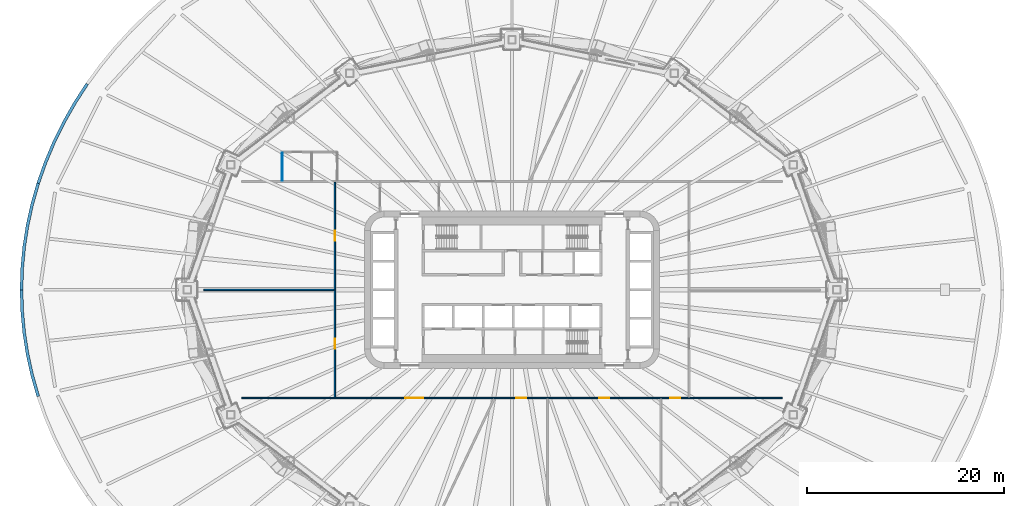
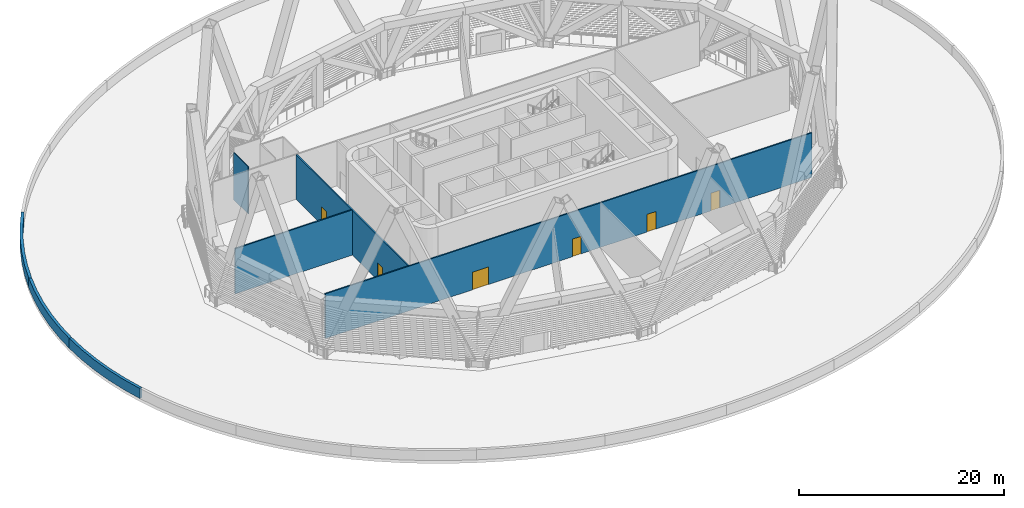
# One storey, part 8 of 27: 7 walls, 6 doors, 6 openings.
"""IFC4 building model written with IfcOpenShell, lengths in metres."""

from ifc_helpers import new_model, si_unit, direction, frame, frame_2d, origin, place, context, subcontext, project, spatial, polyline, rectangle, outline, extrude, material, layer, layer_set, type_object, element, fill, save


model = new_model("IFC4")

# Units and contexts
model_context = context("Model", 3, precision=1e-05, world=origin(), true_north=direction((0.0, 1.0)))
body_context = subcontext(model_context, "Body", "Model", "MODEL_VIEW")
ifc_project = project(units=[si_unit("LENGTHUNIT", "METRE"), si_unit("AREAUNIT", "SQUARE_METRE"), si_unit("VOLUMEUNIT", "CUBIC_METRE"), si_unit("PLANEANGLEUNIT", "RADIAN"), si_unit("MASSUNIT", "GRAM", prefix="KILO")], contexts=[model_context])

# Site, building, storey
site_placement = place(None, origin())
site = spatial("IfcSite", under=ifc_project, at=site_placement, CompositionType="ELEMENT")
building_placement = place(site_placement, origin())
building = spatial("IfcBuilding", under=site, at=building_placement, Name="Sahrelin Media Tower", CompositionType="ELEMENT")
storey_placement = place(building_placement, frame((0.0, 0.0, 44.0)))
storey = spatial("IfcBuildingStorey", under=building, at=storey_placement, Name="L06", CompositionType="ELEMENT", Elevation=44.0)

# Wall, openings, doors
ifc_material_1 = material(Name="Fire-rated gypsum board partition")
ifc_layer_1 = layer(ifc_material_1, 0.14990234375)
ifc_layer_set_1 = layer_set([ifc_layer_1], Name="Fire-rated partition 150")
wall_type_1 = type_object("IfcWallType", Name="Fire-rated partition 150", PredefinedType="PARTITIONING", material=ifc_layer_set_1)
wall_1_placement = place(storey_placement, frame((-27.476318359375, -11.0, 0.0), z_axis=(0.0, 0.0, 1.0), x_axis=(1.0, 0.0, 0.0)))
wall_1 = element("IfcWall", 1, at=wall_1_placement, inside=storey, type_object=wall_type_1, Name="Wall", PredefinedType="PARTITIONING", context=body_context, shape_type="SweptSolid", body=[
    extrude(rectangle(XDim=54.95263671875, YDim=0.14990234375, at=frame_2d((27.476318359375, 0.0))), origin(), (0.0, 0.0, 1.0), 5.326904296875),
])
opening_1_placement = place(wall_1_placement, frame((27.89990234375, 0.0, 0.0)))
opening_1 = element("IfcOpeningElement", 2, at=opening_1_placement, cuts=wall_1, Name="Opening L06-D19", PredefinedType="OPENING", context=body_context, shape_type="SweptSolid", body=[
    extrude(rectangle(XDim=1.0, YDim=2.10009765625, at=frame_2d((0.5, 1.050048828125))), frame((0.0, 0.074951171875, 0.0), z_axis=(0.0, -1.0, 0.0), x_axis=(1.0, 0.0, 0.0)), (0.0, 0.0, 1.0), 0.14990234375),
])
opening_2_placement = place(wall_1_placement, frame((36.35009765625, 0.0, 0.0)))
opening_2 = element("IfcOpeningElement", 3, at=opening_2_placement, cuts=wall_1, Name="Opening L06-D20", PredefinedType="OPENING", context=body_context, shape_type="SweptSolid", body=[
    extrude(rectangle(XDim=1.0, YDim=2.10009765625, at=frame_2d((0.5, 1.050048828125))), frame((0.0, 0.074951171875, 0.0), z_axis=(0.0, -1.0, 0.0), x_axis=(1.0, 0.0, 0.0)), (0.0, 0.0, 1.0), 0.14990234375),
])
opening_3_placement = place(wall_1_placement, frame((43.550048828125, 0.0, 0.0)))
opening_3 = element("IfcOpeningElement", 4, at=opening_3_placement, cuts=wall_1, Name="Opening L06-D21", PredefinedType="OPENING", context=body_context, shape_type="SweptSolid", body=[
    extrude(rectangle(XDim=1.0, YDim=2.10009765625, at=frame_2d((0.5, 1.050048828125))), frame((0.0, 0.074951171875, 0.0), z_axis=(0.0, -1.0, 0.0), x_axis=(1.0, 0.0, 0.0)), (0.0, 0.0, 1.0), 0.14990234375),
])
opening_4_placement = place(wall_1_placement, frame((16.64990234375, 0.0, 0.0)))
opening_4 = element("IfcOpeningElement", 5, at=opening_4_placement, cuts=wall_1, Name="Opening L06-D33", PredefinedType="OPENING", context=body_context, shape_type="SweptSolid", body=[
    extrude(rectangle(XDim=1.800048828125, YDim=2.10009765625, at=frame_2d((0.89990234375, 1.050048828125))), frame((0.0, 0.074951171875, 0.0), z_axis=(0.0, -1.0, 0.0), x_axis=(1.0, 0.0, 0.0)), (0.0, 0.0, 1.0), 0.14990234375),
])
ifc_material_2 = material(Name="Steel fire door leaf", Category="steel")
door_type_1 = type_object("IfcDoorType", Name="Fire door 1000 x 2100 EI 60", OperationType="NOTDEFINED", PredefinedType="DOOR", material=ifc_material_2)
door_1_placement = place(opening_1_placement, origin())
door_1 = element("IfcDoor", 6, at=door_1_placement, inside=storey, type_object=door_type_1, Name="Fire door", OperationType="SINGLE_SWING_RIGHT", OverallHeight=2.10009765625, OverallWidth=1.0, PredefinedType="DOOR", context=body_context, shape_type="SweptSolid", body=[
    extrude(rectangle(XDim=1.0, YDim=2.10009765625, at=frame_2d((0.5, 1.050048828125))), frame((0.0, 0.02490234375, 0.0), z_axis=(0.0, -1.0, 0.0), x_axis=(1.0, 0.0, 0.0)), (0.0, 0.0, 1.0), 0.050048828125),
])
fill(opening_1, door_1)
door_2_placement = place(opening_2_placement, origin())
door_2 = element("IfcDoor", 7, at=door_2_placement, inside=storey, type_object=door_type_1, Name="Fire door", OperationType="SINGLE_SWING_RIGHT", OverallHeight=2.10009765625, OverallWidth=1.0, PredefinedType="DOOR", context=body_context, shape_type="SweptSolid", body=[
    extrude(rectangle(XDim=1.0, YDim=2.10009765625, at=frame_2d((0.5, 1.050048828125))), frame((0.0, 0.02490234375, 0.0), z_axis=(0.0, -1.0, 0.0), x_axis=(1.0, 0.0, 0.0)), (0.0, 0.0, 1.0), 0.050048828125),
])
fill(opening_2, door_2)
door_3_placement = place(opening_3_placement, origin())
door_3 = element("IfcDoor", 8, at=door_3_placement, inside=storey, type_object=door_type_1, Name="Fire door", OperationType="SINGLE_SWING_RIGHT", OverallHeight=2.10009765625, OverallWidth=1.0, PredefinedType="DOOR", context=body_context, shape_type="SweptSolid", body=[
    extrude(rectangle(XDim=1.0, YDim=2.10009765625, at=frame_2d((0.5, 1.050048828125))), frame((0.0, 0.02490234375, 0.0), z_axis=(0.0, -1.0, 0.0), x_axis=(1.0, 0.0, 0.0)), (0.0, 0.0, 1.0), 0.050048828125),
])
fill(opening_3, door_3)
door_type_2 = type_object("IfcDoorType", Name="Service double door 1800 x 2100 EI 60", OperationType="DOUBLE_DOOR_SINGLE_SWING", PredefinedType="DOOR", material=ifc_material_2)
door_4_placement = place(opening_4_placement, origin())
door_4 = element("IfcDoor", 9, at=door_4_placement, inside=storey, type_object=door_type_2, Name="Service double door", OperationType="DOUBLE_DOOR_SINGLE_SWING", OverallHeight=2.10009765625, OverallWidth=1.800048828125, PredefinedType="DOOR", context=body_context, shape_type="SweptSolid", body=[
    extrude(rectangle(XDim=1.800048828125, YDim=2.10009765625, at=frame_2d((0.89990234375, 1.050048828125))), frame((0.0, 0.02490234375, 0.0), z_axis=(0.0, -1.0, 0.0), x_axis=(1.0, 0.0, 0.0)), (0.0, 0.0, 1.0), 0.050048828125),
])
fill(opening_4, door_4)

wall_2_placement = place(storey_placement, frame((-18.0, -10.925048828125, 0.0), z_axis=(0.0, 0.0, 1.0), x_axis=(0.0, 1.0, 0.0)))
wall_2 = element("IfcWall", 10, at=wall_2_placement, inside=storey, type_object=wall_type_1, Name="Wall", PredefinedType="PARTITIONING", context=body_context, shape_type="SweptSolid", body=[
    extrude(rectangle(XDim=21.85009765625, YDim=0.14990234375, at=frame_2d((10.925048828125, 0.0))), origin(), (0.0, 0.0, 1.0), 5.326904296875),
])
opening_5_placement = place(wall_2_placement, frame((4.949951171875, 0.0, 0.0)))
opening_5 = element("IfcOpeningElement", 11, at=opening_5_placement, cuts=wall_2, Name="Opening L06-D24", PredefinedType="OPENING", context=body_context, shape_type="SweptSolid", body=[
    extrude(rectangle(XDim=1.0, YDim=2.10009765625, at=frame_2d((0.5, 1.050048828125))), frame((0.0, 0.074951171875, 0.0), z_axis=(0.0, -1.0, 0.0), x_axis=(1.0, 0.0, 0.0)), (0.0, 0.0, 1.0), 0.14990234375),
])
opening_6_placement = place(wall_2_placement, frame((15.925048828125, 0.0, 0.0)))
opening_6 = element("IfcOpeningElement", 12, at=opening_6_placement, cuts=wall_2, Name="Opening L06-D25", PredefinedType="OPENING", context=body_context, shape_type="SweptSolid", body=[
    extrude(rectangle(XDim=1.0, YDim=2.10009765625, at=frame_2d((0.5, 1.050048828125))), frame((0.0, 0.074951171875, 0.0), z_axis=(0.0, -1.0, 0.0), x_axis=(1.0, 0.0, 0.0)), (0.0, 0.0, 1.0), 0.14990234375),
])
door_5_placement = place(opening_5_placement, origin())
door_5 = element("IfcDoor", 13, at=door_5_placement, inside=storey, type_object=door_type_1, Name="Fire door", OperationType="SINGLE_SWING_LEFT", OverallHeight=2.10009765625, OverallWidth=1.0, PredefinedType="DOOR", context=body_context, shape_type="SweptSolid", body=[
    extrude(rectangle(XDim=1.0, YDim=2.10009765625, at=frame_2d((0.5, 1.050048828125))), frame((0.0, 0.02490234375, 0.0), z_axis=(0.0, -1.0, 0.0), x_axis=(1.0, 0.0, 0.0)), (0.0, 0.0, 1.0), 0.050048828125),
])
fill(opening_5, door_5)
door_6_placement = place(opening_6_placement, origin())
door_6 = element("IfcDoor", 14, at=door_6_placement, inside=storey, type_object=door_type_1, Name="Fire door", OperationType="SINGLE_SWING_RIGHT", OverallHeight=2.10009765625, OverallWidth=1.0, PredefinedType="DOOR", context=body_context, shape_type="SweptSolid", body=[
    extrude(rectangle(XDim=1.0, YDim=2.10009765625, at=frame_2d((0.5, 1.050048828125))), frame((0.0, 0.02490234375, 0.0), z_axis=(0.0, -1.0, 0.0), x_axis=(1.0, 0.0, 0.0)), (0.0, 0.0, 1.0), 0.050048828125),
])
fill(opening_6, door_6)

# Walls
wall_3_placement = place(storey_placement, frame((-18.074951171875, 0.0, 0.0), z_axis=(0.0, 0.0, 1.0), x_axis=(-1.0, 0.0, 0.0)))
element("IfcWall", 15, at=wall_3_placement, inside=storey, type_object=wall_type_1, Name="Wall", PredefinedType="PARTITIONING", context=body_context, shape_type="SweptSolid", body=[
    extrude(rectangle(XDim=13.23095703125, YDim=0.14990234375, at=frame_2d((6.615478515625, 0.0))), origin(), (0.0, 0.0, 1.0), 5.39501953125),
])
ifc_material_3 = material(Name="Gypsum board partition")
ifc_layer_2 = layer(ifc_material_3, 0.10009765625)
ifc_layer_set_2 = layer_set([ifc_layer_2], Name="Partition 100")
wall_type_2 = type_object("IfcWallType", Name="Partition 100", PredefinedType="PARTITIONING", material=ifc_layer_set_2)
wall_4_placement = place(storey_placement, frame((-23.346923828125, 11.074951171875, 0.0), z_axis=(0.0, 0.0, 1.0), x_axis=(0.0, 1.0, 0.0)))
element("IfcWall", 16, at=wall_4_placement, inside=storey, type_object=wall_type_2, Name="Wall", PredefinedType="PARTITIONING", context=body_context, shape_type="SweptSolid", body=[
    extrude(rectangle(XDim=2.85009765625, YDim=0.10009765625, at=frame_2d((1.425048828125, 0.0))), origin(), (0.0, 0.0, 1.0), 5.62744140625),
])
ifc_material_4 = material(Name="Concrete C40/50", Category="concrete")
ifc_layer_3 = layer(ifc_material_4, 0.300048828125)
ifc_layer_set_3 = layer_set([ifc_layer_3], Name="Podium parapet")
wall_type_3 = type_object("IfcWallType", Name="Podium parapet", PredefinedType="PARAPET", material=ifc_layer_set_3)
placement = place(storey_placement, origin())
element("IfcWall", 17, at=placement, inside=storey, type_object=wall_type_3, Name="Podium roof parapet 11", PredefinedType="PARAPET", context=body_context, shape_type="SweptSolid", body=[
    extrude(outline(polyline([(-43.30126953125, 21.0), (-44.55029296875, 19.067626953125), (-45.67724609375, 17.0830078125), (-46.678955078125, 15.051513671875), (-47.552734375, 12.978759765625), (-48.29638671875, 10.870361328125), (-48.010498046875, 10.779296875), (-47.27294921875, 12.87060546875), (-46.406005859375, 14.9267578125), (-45.412109375, 16.9423828125), (-44.293701171875, 18.912109375), (-43.05419921875, 20.830078125), (-43.30126953125, 21.0)])), origin(), (0.0, 0.0, 1.0), 1.199951171875),
])
element("IfcWall", 18, at=placement, inside=storey, type_object=wall_type_3, Name="Podium roof parapet 12", PredefinedType="PARAPET", context=body_context, shape_type="SweptSolid", body=[
    extrude(outline(polyline([(-48.29638671875, 10.870361328125), (-48.907470703125, 8.732421875), (-49.384521484375, 6.5703125), (-49.72607421875, 4.39013671875), (-49.931396484375, 2.197998046875), (-50.0, 0.0), (-49.699951171875, 0.0), (-49.632080078125, 2.179443359375), (-49.428466796875, 4.35302734375), (-49.089599609375, 6.5146484375), (-48.61669921875, 8.65869140625), (-48.010498046875, 10.779296875), (-48.29638671875, 10.870361328125)])), origin(), (0.0, 0.0, 1.0), 1.199951171875),
])
element("IfcWall", 19, at=placement, inside=storey, type_object=wall_type_3, Name="Podium roof parapet 13", PredefinedType="PARAPET", context=body_context, shape_type="SweptSolid", body=[
    extrude(outline(polyline([(-50.0, 0.0), (-49.931396484375, -2.197998046875), (-49.72607421875, -4.39013671875), (-49.384521484375, -6.5703125), (-48.907470703125, -8.732421875), (-48.29638671875, -10.870361328125), (-48.010498046875, -10.779296875), (-48.61669921875, -8.65869140625), (-49.089599609375, -6.5146484375), (-49.428466796875, -4.35302734375), (-49.632080078125, -2.179443359375), (-49.699951171875, 0.0), (-50.0, 0.0)])), origin(), (0.0, 0.0, 1.0), 1.199951171875),
])

save(model, "model.ifc")
